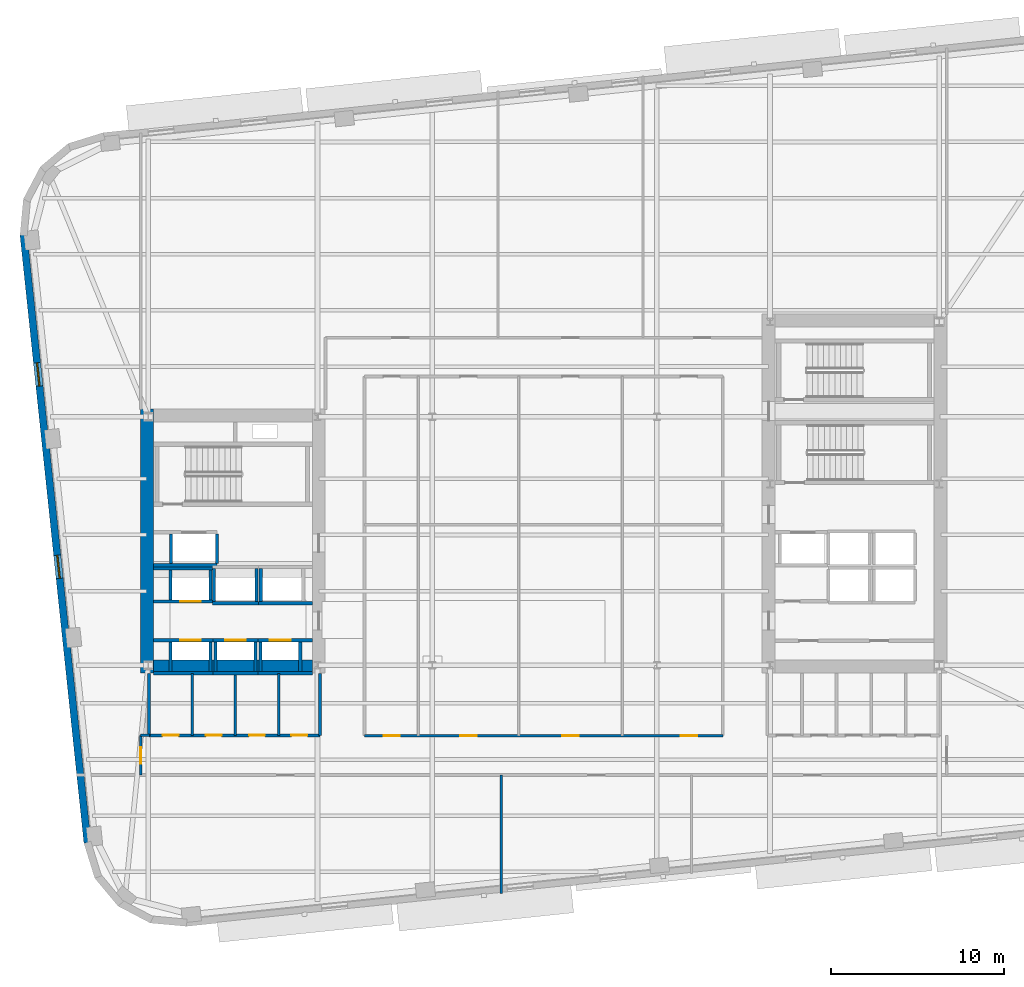
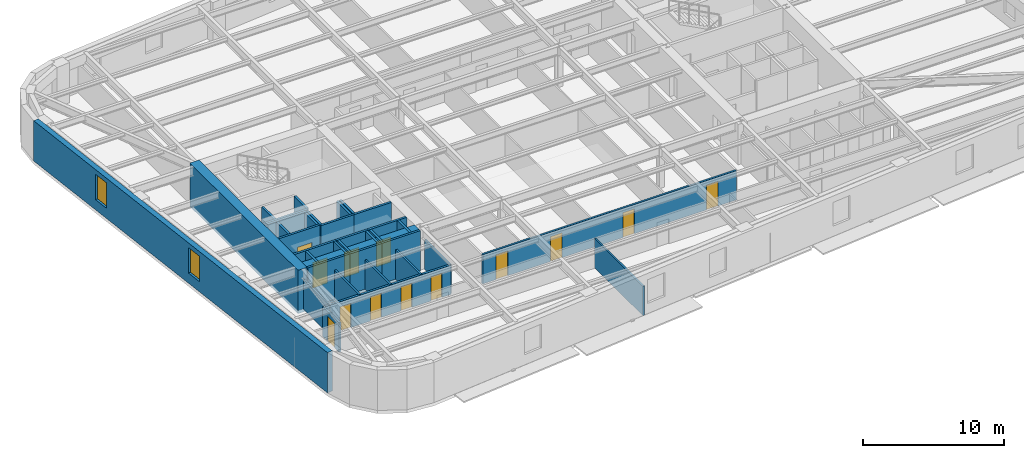
# One storey, part 4 of 12: 37 walls, 13 doors, 2 windows, 15 openings.
"""IFC4 building model written with IfcOpenShell, lengths in metres."""

from ifc_helpers import new_model, si_unit, direction, frame, frame_2d, origin, place, context, subcontext, project, spatial, rectangle, extrude, material, layer, layer_set, type_object, element, fill, save


model = new_model("IFC4")

# Units and contexts
model_context = context("Model", 3, precision=1e-05, world=origin(), true_north=direction((0.0, 1.0)))
body_context = subcontext(model_context, "Body", "Model", "MODEL_VIEW")
ifc_project = project(units=[si_unit("LENGTHUNIT", "METRE"), si_unit("AREAUNIT", "SQUARE_METRE"), si_unit("VOLUMEUNIT", "CUBIC_METRE"), si_unit("PLANEANGLEUNIT", "RADIAN"), si_unit("MASSUNIT", "GRAM", prefix="KILO")], contexts=[model_context])

# Site, building, storey
site_placement = place(None, origin())
site = spatial("IfcSite", under=ifc_project, at=site_placement, CompositionType="ELEMENT")
building_placement = place(site_placement, origin())
building = spatial("IfcBuilding", under=site, at=building_placement, Name="Kolvaren Arena Tower", CompositionType="ELEMENT")
storey_placement = place(building_placement, frame((0.0, 0.0, 138.25)))
storey = spatial("IfcBuildingStorey", under=building, at=storey_placement, Name="L32", CompositionType="ELEMENT", Elevation=138.25)

# Wall, openings, doors
ifc_material_1 = material(Name="Gypsum board acoustic assembly", Category="gypsum")
ifc_layer_1 = layer(ifc_material_1, 0.159912109375)
ifc_layer_set_1 = layer_set([ifc_layer_1], Name="Gypsum board acoustic assembly")
wall_type_1 = type_object("IfcWallType", Name="CORR-160", PredefinedType="PARTITIONING", material=ifc_layer_set_1)
wall_1_placement = place(storey_placement, frame((27.080078125, 15.3798828125, 0.0), z_axis=(0.0, 0.0, 1.0), x_axis=(1.0, 0.0, 0.0)))
wall_1 = element("IfcWall", 1, at=wall_1_placement, inside=storey, type_object=wall_type_1, Name="Interior Partition Wall (L32)", PredefinedType="PARTITIONING", context=body_context, shape_type="SweptSolid", body=[
    extrude(rectangle(XDim=20.739990234375, YDim=0.159912109375, at=frame_2d((10.3701171875, 0.0))), origin(), (0.0, 0.0, 1.0), 2.5400390625),
])
opening_1_placement = place(wall_1_placement, frame((1.094970703125, 0.0, 0.0)))
opening_1 = element("IfcOpeningElement", 2, at=opening_1_placement, cuts=wall_1, Name="Opening D05", PredefinedType="OPENING", context=body_context, shape_type="SweptSolid", body=[
    extrude(rectangle(XDim=0.949951171875, YDim=2.14990234375, at=frame_2d((0.47509765625, 1.074951171875))), frame((0.0, 0.08984375, 0.0), z_axis=(0.0, -1.0, 0.0), x_axis=(1.0, 0.0, 0.0)), (0.0, 0.0, 1.0), 0.179931640625),
])
opening_2_placement = place(wall_1_placement, frame((5.544921875, 0.0, 0.0)))
opening_2 = element("IfcOpeningElement", 3, at=opening_2_placement, cuts=wall_1, Name="Opening D05", PredefinedType="OPENING", context=body_context, shape_type="SweptSolid", body=[
    extrude(rectangle(XDim=0.949951171875, YDim=2.14990234375, at=frame_2d((0.47509765625, 1.074951171875))), frame((0.0, 0.08984375, 0.0), z_axis=(0.0, -1.0, 0.0), x_axis=(1.0, 0.0, 0.0)), (0.0, 0.0, 1.0), 0.179931640625),
])
opening_3_placement = place(wall_1_placement, frame((11.445068359375, 0.0, 0.0)))
opening_3 = element("IfcOpeningElement", 4, at=opening_3_placement, cuts=wall_1, Name="Opening D05", PredefinedType="OPENING", context=body_context, shape_type="SweptSolid", body=[
    extrude(rectangle(XDim=0.949951171875, YDim=2.14990234375, at=frame_2d((0.47509765625, 1.074951171875))), frame((0.0, 0.08984375, 0.0), z_axis=(0.0, -1.0, 0.0), x_axis=(1.0, 0.0, 0.0)), (0.0, 0.0, 1.0), 0.179931640625),
])
opening_4_placement = place(wall_1_placement, frame((18.294921875, 0.0, 0.0)))
opening_4 = element("IfcOpeningElement", 5, at=opening_4_placement, cuts=wall_1, Name="Opening D05", PredefinedType="OPENING", context=body_context, shape_type="SweptSolid", body=[
    extrude(rectangle(XDim=0.949951171875, YDim=2.14990234375, at=frame_2d((0.47509765625, 1.074951171875))), frame((0.0, 0.08984375, 0.0), z_axis=(0.0, -1.0, 0.0), x_axis=(1.0, 0.0, 0.0)), (0.0, 0.0, 1.0), 0.179931640625),
])
ifc_material_2 = material(Name="Solid-core oak acoustic office door", Category="wood")
door_type_1 = type_object("IfcDoorType", Name="DOOR-OF-095", OperationType="NOTDEFINED", PredefinedType="DOOR", material=ifc_material_2)
door_1_placement = place(opening_1_placement, origin())
door_1 = element("IfcDoor", 6, at=door_1_placement, inside=storey, type_object=door_type_1, Name="Tenant Reception Area Door (L32)", OperationType="SINGLE_SWING_LEFT", OverallHeight=2.14990234375, OverallWidth=0.949951171875, PredefinedType="DOOR", context=body_context, shape_type="SweptSolid", body=[
    extrude(rectangle(XDim=0.949951171875, YDim=2.14990234375, at=frame_2d((0.47509765625, 1.074951171875))), frame((0.0, 0.02490234375, 0.0), z_axis=(0.0, -1.0, 0.0), x_axis=(1.0, 0.0, 0.0)), (0.0, 0.0, 1.0), 0.050048828125),
])
fill(opening_1, door_1)
door_2_placement = place(opening_2_placement, origin())
door_2 = element("IfcDoor", 7, at=door_2_placement, inside=storey, type_object=door_type_1, Name="Design Studio Door (L32)", OperationType="SINGLE_SWING_LEFT", OverallHeight=2.14990234375, OverallWidth=0.949951171875, PredefinedType="DOOR", context=body_context, shape_type="SweptSolid", body=[
    extrude(rectangle(XDim=0.949951171875, YDim=2.14990234375, at=frame_2d((0.47509765625, 1.074951171875))), frame((0.0, 0.02490234375, 0.0), z_axis=(0.0, -1.0, 0.0), x_axis=(1.0, 0.0, 0.0)), (0.0, 0.0, 1.0), 0.050048828125),
])
fill(opening_2, door_2)
door_3_placement = place(opening_3_placement, origin())
door_3 = element("IfcDoor", 8, at=door_3_placement, inside=storey, type_object=door_type_1, Name="Breakout Pantry and Kitchen Door (L32)", OperationType="SINGLE_SWING_LEFT", OverallHeight=2.14990234375, OverallWidth=0.949951171875, PredefinedType="DOOR", context=body_context, shape_type="SweptSolid", body=[
    extrude(rectangle(XDim=0.949951171875, YDim=2.14990234375, at=frame_2d((0.47509765625, 1.074951171875))), frame((0.0, 0.02490234375, 0.0), z_axis=(0.0, -1.0, 0.0), x_axis=(1.0, 0.0, 0.0)), (0.0, 0.0, 1.0), 0.050048828125),
])
fill(opening_3, door_3)
door_4_placement = place(opening_4_placement, origin())
door_4 = element("IfcDoor", 9, at=door_4_placement, inside=storey, type_object=door_type_1, Name="Tenant Reception Area Door (L32)", OperationType="SINGLE_SWING_LEFT", OverallHeight=2.14990234375, OverallWidth=0.949951171875, PredefinedType="DOOR", context=body_context, shape_type="SweptSolid", body=[
    extrude(rectangle(XDim=0.949951171875, YDim=2.14990234375, at=frame_2d((0.47509765625, 1.074951171875))), frame((0.0, 0.02490234375, 0.0), z_axis=(0.0, -1.0, 0.0), x_axis=(1.0, 0.0, 0.0)), (0.0, 0.0, 1.0), 0.050048828125),
])
fill(opening_4, door_4)

# Wall, opening, door
wall_2_placement = place(storey_placement, frame((14.1201171875, 13.10009765625, 0.0), z_axis=(0.0, 0.0, 1.0), x_axis=(0.0, 1.0, 0.0)))
wall_2 = element("IfcWall", 10, at=wall_2_placement, inside=storey, type_object=wall_type_1, Name="Interior Partition Wall (L32)", PredefinedType="PARTITIONING", context=body_context, shape_type="SweptSolid", body=[
    extrude(rectangle(XDim=2.2998046875, YDim=0.159912109375, at=frame_2d((1.14990234375, 0.0))), origin(), (0.0, 0.0, 1.0), 2.5400390625),
])
opening_5_placement = place(wall_2_placement, frame((0.64990234375, 0.0, 0.0)))
opening_5 = element("IfcOpeningElement", 11, at=opening_5_placement, cuts=wall_2, Name="Opening D05", PredefinedType="OPENING", context=body_context, shape_type="SweptSolid", body=[
    extrude(rectangle(XDim=0.949951171875, YDim=2.14990234375, at=frame_2d((0.47509765625, 1.074951171875))), frame((0.0, 0.08984375, 0.0), z_axis=(0.0, -1.0, 0.0), x_axis=(1.0, 0.0, 0.0)), (0.0, 0.0, 1.0), 0.179931640625),
])
door_5_placement = place(opening_5_placement, origin())
door_5 = element("IfcDoor", 12, at=door_5_placement, inside=storey, type_object=door_type_1, Name="West Wing Office Door (L32)", OperationType="SINGLE_SWING_LEFT", OverallHeight=2.14990234375, OverallWidth=0.949951171875, PredefinedType="DOOR", context=body_context, shape_type="SweptSolid", body=[
    extrude(rectangle(XDim=0.949951171875, YDim=2.14990234375, at=frame_2d((0.47509765625, 1.074951171875))), frame((0.0, 0.02490234375, 0.0), z_axis=(0.0, -1.0, 0.0), x_axis=(1.0, 0.0, 0.0)), (0.0, 0.0, 1.0), 0.050048828125),
])
fill(opening_5, door_5)

# Walls
wall_3_placement = place(storey_placement, frame((14.1201171875, 15.39990234375, 0.0), z_axis=(0.0, 0.0, 1.0), x_axis=(1.0, 0.0, 0.0)))
element("IfcWall", 13, at=wall_3_placement, inside=storey, type_object=wall_type_1, Name="Interior Partition Wall (L32)", PredefinedType="PARTITIONING", context=body_context, shape_type="SweptSolid", body=[
    extrude(rectangle(XDim=0.5, YDim=0.159912109375, at=frame_2d((0.25, 0.0))), origin(), (0.0, 0.0, 1.0), 2.5400390625),
])
ifc_material_3 = material(Name="Concrete 70 MPa", Category="concrete")
ifc_layer_2 = layer(ifc_material_3, 0.75)
ifc_layer_set_2 = layer_set([ifc_layer_2], Name="Concrete 70 MPa")
wall_type_2 = type_object("IfcWallType", Name="CWALL-750", PredefinedType="SHEAR", material=ifc_layer_set_2)
wall_4_placement = place(storey_placement, frame((14.47509765625, 19.0, -0.27001953125), z_axis=(0.0, 0.0, 1.0), x_axis=(0.0, 1.0, 0.0)))
element("IfcWall", 14, at=wall_4_placement, inside=storey, type_object=wall_type_2, Name="Core Shear Wall WC-WEST (L32)", PredefinedType="SHEAR", context=body_context, shape_type="SweptSolid", body=[
    extrude(rectangle(XDim=15.300048828125, YDim=0.75, at=frame_2d((7.64990234375, 0.0))), origin(), (0.0, 0.0, 1.0), 3.75),
])
wall_5_placement = place(storey_placement, frame((14.85009765625, 19.375, -0.27001953125), z_axis=(0.0, 0.0, 1.0), x_axis=(1.0, 0.0, 0.0)))
element("IfcWall", 15, at=wall_5_placement, inside=storey, type_object=wall_type_2, Name="Core Shear Wall WC-SOUTH (L32)", PredefinedType="SHEAR", context=body_context, shape_type="SweptSolid", body=[
    extrude(rectangle(XDim=9.199951171875, YDim=0.75, at=frame_2d((4.60009765625, 0.0))), origin(), (0.0, 0.0, 1.0), 3.75),
])

# Wall, openings, windows
ifc_material_4 = material(Name="Precast concrete C50/60", Category="concrete")
ifc_layer_3 = layer(ifc_material_4, 0.419921875)
ifc_layer_set_3 = layer_set([ifc_layer_3], Name="Precast concrete C50/60")
wall_type_3 = type_object("IfcWallType", Name="EXT-PIER1", PredefinedType="SOLIDWALL", material=ifc_layer_set_3)
wall_6_placement = place(storey_placement, frame((11.039794921875, 9.16943359375, 0.0), z_axis=(0.0, 0.0, 1.0), x_axis=(-0.104532207177, 0.99452150186, 0.0)))
wall_6 = element("IfcWall", 16, at=wall_6_placement, inside=storey, type_object=wall_type_3, Name="Exterior Precast Masonry-Frame Wall (L32)", PredefinedType="SOLIDWALL", context=body_context, shape_type="SweptSolid", body=[
    extrude(rectangle(XDim=35.39990234375, YDim=0.419921875, at=frame_2d((17.699951171875, 0.0))), origin(), (0.0, 0.0, 1.0), 3.47998046875),
])
opening_6_placement = place(wall_6_placement, frame((15.39990234375, 0.0, 0.8798828125)))
opening_6 = element("IfcOpeningElement", 17, at=opening_6_placement, cuts=wall_6, Name="Opening W04", PredefinedType="OPENING", context=body_context, shape_type="SweptSolid", body=[
    extrude(rectangle(XDim=1.35009765625, YDim=2.199951171875, at=frame_2d((0.675048828125, 1.10009765625))), frame((0.0, 0.219970703125, 0.0), z_axis=(0.0, -1.0, 0.0), x_axis=(1.0, 0.0, 0.0)), (0.0, 0.0, 1.0), 0.43994140625),
])
opening_7_placement = place(wall_6_placement, frame((26.60009765625, 0.0, 0.8798828125)))
opening_7 = element("IfcOpeningElement", 18, at=opening_7_placement, cuts=wall_6, Name="Opening W04", PredefinedType="OPENING", context=body_context, shape_type="SweptSolid", body=[
    extrude(rectangle(XDim=1.35009765625, YDim=2.199951171875, at=frame_2d((0.675048828125, 1.10009765625))), frame((0.0, 0.219970703125, 0.0), z_axis=(0.0, -1.0, 0.0), x_axis=(1.0, 0.0, 0.0)), (0.0, 0.0, 1.0), 0.43994140625),
])
ifc_material_5 = material(Name="Triple-glazed curved-facet corner window", Category="glass")
window_type = type_object("IfcWindowType", Name="WIN-CRN-A", PartitioningType="SINGLE_PANEL", PredefinedType="WINDOW", material=ifc_material_5)
window_1_placement = place(opening_6_placement, origin())
window_1 = element("IfcWindow", 19, at=window_1_placement, inside=storey, type_object=window_type, Name="End-Wall Punched Window (L32)", OverallHeight=2.199951171875, OverallWidth=1.35009765625, PartitioningType="SINGLE_PANEL", PredefinedType="WINDOW", context=body_context, shape_type="SweptSolid", body=[
    extrude(rectangle(XDim=1.35009765625, YDim=2.199951171875, at=frame_2d((0.675048828125, 1.10009765625))), frame((0.0, 0.030029296875, 0.0), z_axis=(0.0, -1.0, 0.0), x_axis=(1.0, 0.0, 0.0)), (0.0, 0.0, 1.0), 0.06005859375),
])
fill(opening_6, window_1)
window_2_placement = place(opening_7_placement, origin())
window_2 = element("IfcWindow", 20, at=window_2_placement, inside=storey, type_object=window_type, Name="End-Wall Punched Window (L32)", OverallHeight=2.199951171875, OverallWidth=1.35009765625, PartitioningType="SINGLE_PANEL", PredefinedType="WINDOW", context=body_context, shape_type="SweptSolid", body=[
    extrude(rectangle(XDim=1.35009765625, YDim=2.199951171875, at=frame_2d((0.675048828125, 1.10009765625))), frame((0.0, 0.030029296875, 0.0), z_axis=(0.0, -1.0, 0.0), x_axis=(1.0, 0.0, 0.0)), (0.0, 0.0, 1.0), 0.06005859375),
])
fill(opening_7, window_2)

# Wall
ifc_material_6 = material(Name="Gypsum board partition assembly", Category="gypsum")
ifc_layer_4 = layer(ifc_material_6, 0.135009765625)
ifc_layer_set_4 = layer_set([ifc_layer_4], Name="Gypsum board partition assembly")
wall_type_4 = type_object("IfcWallType", Name="PART-135", PredefinedType="PARTITIONING", material=ifc_layer_set_4)
wall_7_placement = place(storey_placement, frame((35.0, 6.258056640625, 0.0), z_axis=(0.0, 0.0, 1.0), x_axis=(0.0, 1.0, 0.0)))
element("IfcWall", 21, at=wall_7_placement, inside=storey, type_object=wall_type_4, Name="Interior Partition Wall (L32)", PredefinedType="PARTITIONING", context=body_context, shape_type="SweptSolid", body=[
    extrude(rectangle(XDim=6.842041015625, YDim=0.135009765625, at=frame_2d((3.4208984375, 0.0))), origin(), (0.0, 0.0, 1.0), 2.5400390625),
])

# Wall, opening, door
ifc_material_7 = material(Name="Concrete 45 MPa", Category="concrete")
ifc_layer_5 = layer(ifc_material_7, 0.25)
ifc_layer_set_5 = layer_set([ifc_layer_5], Name="Concrete 45 MPa")
wall_type_5 = type_object("IfcWallType", Name="SHAFT-250", PredefinedType="SOLIDWALL", material=ifc_layer_set_5)
wall_8_placement = place(storey_placement, frame((14.85009765625, 20.905029296875, 0.0), z_axis=(0.0, 0.0, 1.0), x_axis=(1.0, 0.0, 0.0)))
wall_8 = element("IfcWall", 22, at=wall_8_placement, inside=storey, type_object=wall_type_5, Name="Core Shaft Wall (L32)", PredefinedType="SOLIDWALL", context=body_context, shape_type="SweptSolid", body=[
    extrude(rectangle(XDim=3.449951171875, YDim=0.179931640625, at=frame_2d((1.72509765625, 0.0))), origin(), (0.0, 0.0, 1.0), 3.47998046875),
])
opening_8_placement = place(wall_8_placement, frame((1.550048828125, 0.0, 0.0)))
opening_8 = element("IfcOpeningElement", 23, at=opening_8_placement, cuts=wall_8, Name="Opening LD1", PredefinedType="OPENING", context=body_context, shape_type="SweptSolid", body=[
    extrude(rectangle(XDim=1.199951171875, YDim=2.199951171875, at=frame_2d((0.60009765625, 1.10009765625))), frame((0.0, 0.099853515625, 0.0), z_axis=(0.0, -1.0, 0.0), x_axis=(1.0, 0.0, 0.0)), (0.0, 0.0, 1.0), 0.199951171875),
])
ifc_material_8 = material(Name="Stainless steel passenger lift landing door", Category="steel")
door_type_2 = type_object("IfcDoorType", Name="DOOR-LD-120", OperationType="DOUBLE_DOOR_SLIDING", PredefinedType="DOOR", material=ifc_material_8)
door_6_placement = place(opening_8_placement, origin())
door_6 = element("IfcDoor", 24, at=door_6_placement, inside=storey, type_object=door_type_2, Name="Lift EL-MR1 Landing Door (L32)", OperationType="DOUBLE_DOOR_SLIDING", OverallHeight=2.199951171875, OverallWidth=1.199951171875, PredefinedType="DOOR", context=body_context, shape_type="SweptSolid", body=[
    extrude(rectangle(XDim=1.199951171875, YDim=2.199951171875, at=frame_2d((0.60009765625, 1.10009765625))), frame((0.0, 0.02490234375, 0.0), z_axis=(0.0, -1.0, 0.0), x_axis=(1.0, 0.0, 0.0)), (0.0, 0.0, 1.0), 0.050048828125),
])
fill(opening_8, door_6)

# Walls
wall_9_placement = place(storey_placement, frame((14.85009765625, 18.9951171875, 0.0), z_axis=(0.0, 0.0, 1.0), x_axis=(1.0, 0.0, 0.0)))
element("IfcWall", 25, at=wall_9_placement, inside=storey, type_object=wall_type_5, Name="Core Shaft Wall (L32)", PredefinedType="SOLIDWALL", context=body_context, shape_type="SweptSolid", body=[
    extrude(rectangle(XDim=3.449951171875, YDim=0.179931640625, at=frame_2d((1.72509765625, 0.0))), origin(), (0.0, 0.0, 1.0), 3.47998046875),
])
for number, where, z_axis, x_axis, name in (
    (26, (15.844970703125, 19.0849609375, 0.0), (0.0, 0.0, 1.0), (0.0, 1.0, 0.0), "Core Shaft Wall (L32)"),
    (27, (18.155029296875, 19.0849609375, 0.0), (0.0, 0.0, 1.0), (0.0, 1.0, 0.0), "Core Shaft Wall (L32)"),
):
    element("IfcWall", number, at=place(storey_placement, frame(where, z_axis=z_axis, x_axis=x_axis)), inside=storey, type_object=wall_type_5, Name=name, PredefinedType="SOLIDWALL", context=body_context, shape_type="SweptSolid", body=[
        extrude(rectangle(XDim=1.72998046875, YDim=0.179931640625, at=frame_2d((0.864990234375, 0.0))), origin(), (0.0, 0.0, 1.0), 3.47998046875),
    ])

# Wall, opening, door
wall_10_placement = place(storey_placement, frame((18.300048828125, 20.905029296875, 0.0), z_axis=(0.0, 0.0, 1.0), x_axis=(1.0, 0.0, 0.0)))
wall_10 = element("IfcWall", 28, at=wall_10_placement, inside=storey, type_object=wall_type_5, Name="Core Shaft Wall (L32)", PredefinedType="SOLIDWALL", context=body_context, shape_type="SweptSolid", body=[
    extrude(rectangle(XDim=2.599853515625, YDim=0.179931640625, at=frame_2d((1.2998046875, 0.0))), origin(), (0.0, 0.0, 1.0), 3.47998046875),
])
opening_9_placement = place(wall_10_placement, frame((0.699951171875, 0.0, 0.0)))
opening_9 = element("IfcOpeningElement", 29, at=opening_9_placement, cuts=wall_10, Name="Opening LD1", PredefinedType="OPENING", context=body_context, shape_type="SweptSolid", body=[
    extrude(rectangle(XDim=1.199951171875, YDim=2.199951171875, at=frame_2d((0.60009765625, 1.10009765625))), frame((0.0, 0.099853515625, 0.0), z_axis=(0.0, -1.0, 0.0), x_axis=(1.0, 0.0, 0.0)), (0.0, 0.0, 1.0), 0.199951171875),
])
door_7_placement = place(opening_9_placement, origin())
door_7 = element("IfcDoor", 30, at=door_7_placement, inside=storey, type_object=door_type_2, Name="Lift EL-MR2 Landing Door (L32)", OperationType="DOUBLE_DOOR_SLIDING", OverallHeight=2.199951171875, OverallWidth=1.199951171875, PredefinedType="DOOR", context=body_context, shape_type="SweptSolid", body=[
    extrude(rectangle(XDim=1.199951171875, YDim=2.199951171875, at=frame_2d((0.60009765625, 1.10009765625))), frame((0.0, 0.02490234375, 0.0), z_axis=(0.0, -1.0, 0.0), x_axis=(1.0, 0.0, 0.0)), (0.0, 0.0, 1.0), 0.050048828125),
])
fill(opening_9, door_7)

# Walls
wall_11_placement = place(storey_placement, frame((18.300048828125, 18.9951171875, 0.0), z_axis=(0.0, 0.0, 1.0), x_axis=(1.0, 0.0, 0.0)))
element("IfcWall", 31, at=wall_11_placement, inside=storey, type_object=wall_type_5, Name="Core Shaft Wall (L32)", PredefinedType="SOLIDWALL", context=body_context, shape_type="SweptSolid", body=[
    extrude(rectangle(XDim=2.599853515625, YDim=0.179931640625, at=frame_2d((1.2998046875, 0.0))), origin(), (0.0, 0.0, 1.0), 3.47998046875),
])
for number, where, z_axis, x_axis, name in (
    (32, (18.445068359375, 19.0849609375, 0.0), (0.0, 0.0, 1.0), (0.0, 1.0, 0.0), "Core Shaft Wall (L32)"),
    (33, (20.7548828125, 19.0849609375, 0.0), (0.0, 0.0, 1.0), (0.0, 1.0, 0.0), "Core Shaft Wall (L32)"),
):
    element("IfcWall", number, at=place(storey_placement, frame(where, z_axis=z_axis, x_axis=x_axis)), inside=storey, type_object=wall_type_5, Name=name, PredefinedType="SOLIDWALL", context=body_context, shape_type="SweptSolid", body=[
        extrude(rectangle(XDim=1.72998046875, YDim=0.179931640625, at=frame_2d((0.864990234375, 0.0))), origin(), (0.0, 0.0, 1.0), 3.47998046875),
    ])

# Wall, opening, door
wall_12_placement = place(storey_placement, frame((20.89990234375, 20.905029296875, 0.0), z_axis=(0.0, 0.0, 1.0), x_axis=(1.0, 0.0, 0.0)))
wall_12 = element("IfcWall", 34, at=wall_12_placement, inside=storey, type_object=wall_type_5, Name="Core Shaft Wall (L32)", PredefinedType="SOLIDWALL", context=body_context, shape_type="SweptSolid", body=[
    extrude(rectangle(XDim=3.150146484375, YDim=0.179931640625, at=frame_2d((1.5751953125, 0.0))), origin(), (0.0, 0.0, 1.0), 3.47998046875),
])
opening_10_placement = place(wall_12_placement, frame((0.699951171875, 0.0, 0.0)))
opening_10 = element("IfcOpeningElement", 35, at=opening_10_placement, cuts=wall_12, Name="Opening LD1", PredefinedType="OPENING", context=body_context, shape_type="SweptSolid", body=[
    extrude(rectangle(XDim=1.199951171875, YDim=2.199951171875, at=frame_2d((0.60009765625, 1.10009765625))), frame((0.0, 0.099853515625, 0.0), z_axis=(0.0, -1.0, 0.0), x_axis=(1.0, 0.0, 0.0)), (0.0, 0.0, 1.0), 0.199951171875),
])
door_8_placement = place(opening_10_placement, origin())
door_8 = element("IfcDoor", 36, at=door_8_placement, inside=storey, type_object=door_type_2, Name="Lift EL-MR3 Landing Door (L32)", OperationType="DOUBLE_DOOR_SLIDING", OverallHeight=2.199951171875, OverallWidth=1.199951171875, PredefinedType="DOOR", context=body_context, shape_type="SweptSolid", body=[
    extrude(rectangle(XDim=1.199951171875, YDim=2.199951171875, at=frame_2d((0.60009765625, 1.10009765625))), frame((0.0, 0.02490234375, 0.0), z_axis=(0.0, -1.0, 0.0), x_axis=(1.0, 0.0, 0.0)), (0.0, 0.0, 1.0), 0.050048828125),
])
fill(opening_10, door_8)

# Walls
wall_13_placement = place(storey_placement, frame((20.89990234375, 18.9951171875, 0.0), z_axis=(0.0, 0.0, 1.0), x_axis=(1.0, 0.0, 0.0)))
element("IfcWall", 37, at=wall_13_placement, inside=storey, type_object=wall_type_5, Name="Core Shaft Wall (L32)", PredefinedType="SOLIDWALL", context=body_context, shape_type="SweptSolid", body=[
    extrude(rectangle(XDim=3.150146484375, YDim=0.179931640625, at=frame_2d((1.5751953125, 0.0))), origin(), (0.0, 0.0, 1.0), 3.47998046875),
])
for number, where, z_axis, x_axis, name in (
    (38, (21.044921875, 19.0849609375, 0.0), (0.0, 0.0, 1.0), (0.0, 1.0, 0.0), "Core Shaft Wall (L32)"),
    (39, (23.35498046875, 19.0849609375, 0.0), (0.0, 0.0, 1.0), (0.0, 1.0, 0.0), "Core Shaft Wall (L32)"),
):
    element("IfcWall", number, at=place(storey_placement, frame(where, z_axis=z_axis, x_axis=x_axis)), inside=storey, type_object=wall_type_5, Name=name, PredefinedType="SOLIDWALL", context=body_context, shape_type="SweptSolid", body=[
        extrude(rectangle(XDim=1.72998046875, YDim=0.179931640625, at=frame_2d((0.864990234375, 0.0))), origin(), (0.0, 0.0, 1.0), 3.47998046875),
    ])
wall_14_placement = place(storey_placement, frame((14.85009765625, 25.054931640625, 0.0), z_axis=(0.0, 0.0, 1.0), x_axis=(1.0, 0.0, 0.0)))
element("IfcWall", 40, at=wall_14_placement, inside=storey, type_object=wall_type_5, Name="Core Shaft Wall (L32)", PredefinedType="SOLIDWALL", context=body_context, shape_type="SweptSolid", body=[
    extrude(rectangle(XDim=3.412353515625, YDim=0.179931640625, at=frame_2d((1.7060546875, 0.0))), origin(), (0.0, 0.0, 1.0), 3.47998046875),
])

# Wall, opening, door
wall_15_placement = place(storey_placement, frame((14.85009765625, 23.14501953125, 0.0), z_axis=(0.0, 0.0, 1.0), x_axis=(1.0, 0.0, 0.0)))
wall_15 = element("IfcWall", 41, at=wall_15_placement, inside=storey, type_object=wall_type_5, Name="Core Shaft Wall (L32)", PredefinedType="SOLIDWALL", context=body_context, shape_type="SweptSolid", body=[
    extrude(rectangle(XDim=3.412353515625, YDim=0.179931640625, at=frame_2d((1.7060546875, 0.0))), origin(), (0.0, 0.0, 1.0), 3.47998046875),
])
opening_11_placement = place(wall_15_placement, frame((1.550048828125, 0.0, 0.0)))
opening_11 = element("IfcOpeningElement", 42, at=opening_11_placement, cuts=wall_15, Name="Opening LD1", PredefinedType="OPENING", context=body_context, shape_type="SweptSolid", body=[
    extrude(rectangle(XDim=1.199951171875, YDim=2.199951171875, at=frame_2d((0.60009765625, 1.10009765625))), frame((0.0, 0.099853515625, 0.0), z_axis=(0.0, -1.0, 0.0), x_axis=(1.0, 0.0, 0.0)), (0.0, 0.0, 1.0), 0.199951171875),
])
door_9_placement = place(opening_11_placement, origin())
door_9 = element("IfcDoor", 43, at=door_9_placement, inside=storey, type_object=door_type_2, Name="Lift EL-MR4 Landing Door (L32)", OperationType="DOUBLE_DOOR_SLIDING", OverallHeight=2.199951171875, OverallWidth=1.199951171875, PredefinedType="DOOR", context=body_context, shape_type="SweptSolid", body=[
    extrude(rectangle(XDim=1.199951171875, YDim=2.199951171875, at=frame_2d((0.60009765625, 1.10009765625))), frame((0.0, 0.02490234375, 0.0), z_axis=(0.0, -1.0, 0.0), x_axis=(1.0, 0.0, 0.0)), (0.0, 0.0, 1.0), 0.050048828125),
])
fill(opening_11, door_9)

# Walls
for number, where, z_axis, x_axis, name in (
    (44, (15.844970703125, 23.235107421875, 0.0), (0.0, 0.0, 1.0), (0.0, 1.0, 0.0), "Core Shaft Wall (L32)"),
    (45, (18.155029296875, 23.235107421875, 0.0), (0.0, 0.0, 1.0), (0.0, 1.0, 0.0), "Core Shaft Wall (L32)"),
):
    element("IfcWall", number, at=place(storey_placement, frame(where, z_axis=z_axis, x_axis=x_axis)), inside=storey, type_object=wall_type_5, Name=name, PredefinedType="SOLIDWALL", context=body_context, shape_type="SweptSolid", body=[
        extrude(rectangle(XDim=1.72998046875, YDim=0.179931640625, at=frame_2d((0.864990234375, 0.0))), origin(), (0.0, 0.0, 1.0), 3.47998046875),
    ])
wall_16_placement = place(storey_placement, frame((18.262451171875, 23.044921875, 0.0), z_axis=(0.0, 0.0, 1.0), x_axis=(1.0, 0.0, 0.0)))
element("IfcWall", 46, at=wall_16_placement, inside=storey, type_object=wall_type_5, Name="Core Shaft Wall (L32)", PredefinedType="SOLIDWALL", context=body_context, shape_type="SweptSolid", body=[
    extrude(rectangle(XDim=2.6875, YDim=0.179931640625, at=frame_2d((1.34375, 0.0))), origin(), (0.0, 0.0, 1.0), 3.47998046875),
])
for number, where, z_axis, x_axis, name in (
    (47, (18.3701171875, 23.135009765625, 0.0), (0.0, 0.0, 1.0), (0.0, 1.0, 0.0), "Core Shaft Wall (L32)"),
    (48, (20.830078125, 23.135009765625, 0.0), (0.0, 0.0, 1.0), (0.0, 1.0, 0.0), "Core Shaft Wall (L32)"),
):
    element("IfcWall", number, at=place(storey_placement, frame(where, z_axis=z_axis, x_axis=x_axis)), inside=storey, type_object=wall_type_5, Name=name, PredefinedType="SOLIDWALL", context=body_context, shape_type="SweptSolid", body=[
        extrude(rectangle(XDim=1.929931640625, YDim=0.179931640625, at=frame_2d((0.96484375, 0.0))), origin(), (0.0, 0.0, 1.0), 3.47998046875),
    ])
wall_17_placement = place(storey_placement, frame((20.949951171875, 23.044921875, 0.0), z_axis=(0.0, 0.0, 1.0), x_axis=(1.0, 0.0, 0.0)))
element("IfcWall", 49, at=wall_17_placement, inside=storey, type_object=wall_type_5, Name="Core Shaft Wall (L32)", PredefinedType="SOLIDWALL", context=body_context, shape_type="SweptSolid", body=[
    extrude(rectangle(XDim=3.10009765625, YDim=0.179931640625, at=frame_2d((1.550048828125, 0.0))), origin(), (0.0, 0.0, 1.0), 3.47998046875),
])
wall_18_placement = place(storey_placement, frame((21.070068359375, 23.135009765625, 0.0), z_axis=(0.0, 0.0, 1.0), x_axis=(0.0, 1.0, 0.0)))
element("IfcWall", 50, at=wall_18_placement, inside=storey, type_object=wall_type_5, Name="Core Shaft Wall (L32)", PredefinedType="SOLIDWALL", context=body_context, shape_type="SweptSolid", body=[
    extrude(rectangle(XDim=1.929931640625, YDim=0.179931640625, at=frame_2d((0.96484375, 0.0))), origin(), (0.0, 0.0, 1.0), 3.47998046875),
])
wall_19_placement = place(storey_placement, frame((14.85009765625, 25.2451171875, 0.0), z_axis=(0.0, 0.0, 1.0), x_axis=(1.0, 0.0, 0.0)))
element("IfcWall", 51, at=wall_19_placement, inside=storey, type_object=wall_type_5, Name="Core Shaft Wall (L32)", PredefinedType="SOLIDWALL", context=body_context, shape_type="SweptSolid", body=[
    extrude(rectangle(XDim=3.679931640625, YDim=0.179931640625, at=frame_2d((1.83984375, 0.0))), origin(), (0.0, 0.0, 1.0), 3.47998046875),
])
for number, where, z_axis, x_axis, name in (
    (52, (15.8701171875, 25.3349609375, 0.0), (0.0, 0.0, 1.0), (0.0, 1.0, 0.0), "Core Shaft Wall (L32)"),
    (53, (18.530029296875, 25.3349609375, 0.0), (0.0, 0.0, 1.0), (0.0, 1.0, 0.0), "Core Shaft Wall (L32)"),
):
    element("IfcWall", number, at=place(storey_placement, frame(where, z_axis=z_axis, x_axis=x_axis)), inside=storey, type_object=wall_type_5, Name=name, PredefinedType="SOLIDWALL", context=body_context, shape_type="SweptSolid", body=[
        extrude(rectangle(XDim=1.72998046875, YDim=0.179931640625, at=frame_2d((0.864990234375, 0.0))), origin(), (0.0, 0.0, 1.0), 3.47998046875),
    ])
ifc_material_9 = material(Name="Moisture-resistant gypsum assembly", Category="gypsum")
ifc_layer_6 = layer(ifc_material_9, 0.14990234375)
ifc_layer_set_6 = layer_set([ifc_layer_6], Name="Moisture-resistant gypsum assembly")
wall_type_6 = type_object("IfcWallType", Name="WETW-150", PredefinedType="PARTITIONING", material=ifc_layer_set_6)
for number, where, z_axis, x_axis, name in (
    (54, (17.10009765625, 15.39990234375, 0.0), (0.0, 0.0, 1.0), (0.0, 1.0, 0.0), "Interior Partition Wall (L32)"),
    (55, (19.60009765625, 15.39990234375, 0.0), (0.0, 0.0, 1.0), (0.0, 1.0, 0.0), "Interior Partition Wall (L32)"),
    (56, (22.10009765625, 15.39990234375, 0.0), (0.0, 0.0, 1.0), (0.0, 1.0, 0.0), "Interior Partition Wall (L32)"),
):
    element("IfcWall", number, at=place(storey_placement, frame(where, z_axis=z_axis, x_axis=x_axis)), inside=storey, type_object=wall_type_6, Name=name, PredefinedType="PARTITIONING", context=body_context, shape_type="SweptSolid", body=[
        extrude(rectangle(XDim=3.580078125, YDim=0.14990234375, at=frame_2d((1.7900390625, 0.0))), origin(), (0.0, 0.0, 1.0), 2.5400390625),
    ])

# Wall, openings, doors
wall_20_placement = place(storey_placement, frame((14.60009765625, 15.39990234375, 0.0), z_axis=(0.0, 0.0, 1.0), x_axis=(1.0, 0.0, 0.0)))
wall_20 = element("IfcWall", 57, at=wall_20_placement, inside=storey, type_object=wall_type_6, Name="Interior Partition Wall (L32)", PredefinedType="PARTITIONING", context=body_context, shape_type="SweptSolid", body=[
    extrude(rectangle(XDim=9.89990234375, YDim=0.179931640625, at=frame_2d((4.949951171875, 0.0))), origin(), (0.0, 0.0, 1.0), 2.5400390625),
])
opening_12_placement = place(wall_20_placement, frame((0.7900390625, 0.0, 0.0)))
opening_12 = element("IfcOpeningElement", 58, at=opening_12_placement, cuts=wall_20, Name="Opening D07", PredefinedType="OPENING", context=body_context, shape_type="SweptSolid", body=[
    extrude(rectangle(XDim=0.919921875, YDim=2.10009765625, at=frame_2d((0.4599609375, 1.050048828125))), frame((0.0, 0.099853515625, 0.0), z_axis=(0.0, -1.0, 0.0), x_axis=(1.0, 0.0, 0.0)), (0.0, 0.0, 1.0), 0.199951171875),
])
opening_13_placement = place(wall_20_placement, frame((3.2900390625, 0.0, 0.0)))
opening_13 = element("IfcOpeningElement", 59, at=opening_13_placement, cuts=wall_20, Name="Opening D07", PredefinedType="OPENING", context=body_context, shape_type="SweptSolid", body=[
    extrude(rectangle(XDim=0.919921875, YDim=2.10009765625, at=frame_2d((0.4599609375, 1.050048828125))), frame((0.0, 0.099853515625, 0.0), z_axis=(0.0, -1.0, 0.0), x_axis=(1.0, 0.0, 0.0)), (0.0, 0.0, 1.0), 0.199951171875),
])
opening_14_placement = place(wall_20_placement, frame((5.7900390625, 0.0, 0.0)))
opening_14 = element("IfcOpeningElement", 60, at=opening_14_placement, cuts=wall_20, Name="Opening D07", PredefinedType="OPENING", context=body_context, shape_type="SweptSolid", body=[
    extrude(rectangle(XDim=0.919921875, YDim=2.10009765625, at=frame_2d((0.4599609375, 1.050048828125))), frame((0.0, 0.099853515625, 0.0), z_axis=(0.0, -1.0, 0.0), x_axis=(1.0, 0.0, 0.0)), (0.0, 0.0, 1.0), 0.199951171875),
])
opening_15_placement = place(wall_20_placement, frame((8.239990234375, 0.0, 0.0)))
opening_15 = element("IfcOpeningElement", 61, at=opening_15_placement, cuts=wall_20, Name="Opening D07", PredefinedType="OPENING", context=body_context, shape_type="SweptSolid", body=[
    extrude(rectangle(XDim=0.919921875, YDim=2.10009765625, at=frame_2d((0.4599609375, 1.050048828125))), frame((0.0, 0.099853515625, 0.0), z_axis=(0.0, -1.0, 0.0), x_axis=(1.0, 0.0, 0.0)), (0.0, 0.0, 1.0), 0.199951171875),
])
ifc_material_10 = material(Name="Laminate universal washroom door", Category="wood")
door_type_3 = type_object("IfcDoorType", Name="DOOR-WC-092", OperationType="NOTDEFINED", PredefinedType="DOOR", material=ifc_material_10)
door_10_placement = place(opening_12_placement, origin())
door_10 = element("IfcDoor", 62, at=door_10_placement, inside=storey, type_object=door_type_3, Name="Women Restroom Door (L32)", OperationType="SINGLE_SWING_RIGHT", OverallHeight=2.10009765625, OverallWidth=0.919921875, PredefinedType="DOOR", context=body_context, shape_type="SweptSolid", body=[
    extrude(rectangle(XDim=0.919921875, YDim=2.10009765625, at=frame_2d((0.4599609375, 1.050048828125))), frame((0.0, 0.02490234375, 0.0), z_axis=(0.0, -1.0, 0.0), x_axis=(1.0, 0.0, 0.0)), (0.0, 0.0, 1.0), 0.050048828125),
])
fill(opening_12, door_10)
door_11_placement = place(opening_13_placement, origin())
door_11 = element("IfcDoor", 63, at=door_11_placement, inside=storey, type_object=door_type_3, Name="Men Restroom Door (L32)", OperationType="SINGLE_SWING_LEFT", OverallHeight=2.10009765625, OverallWidth=0.919921875, PredefinedType="DOOR", context=body_context, shape_type="SweptSolid", body=[
    extrude(rectangle(XDim=0.919921875, YDim=2.10009765625, at=frame_2d((0.4599609375, 1.050048828125))), frame((0.0, 0.02490234375, 0.0), z_axis=(0.0, -1.0, 0.0), x_axis=(1.0, 0.0, 0.0)), (0.0, 0.0, 1.0), 0.050048828125),
])
fill(opening_13, door_11)
door_12_placement = place(opening_14_placement, origin())
door_12 = element("IfcDoor", 64, at=door_12_placement, inside=storey, type_object=door_type_3, Name="Universal Barrier-Free Washroom Door (L32)", OperationType="SINGLE_SWING_RIGHT", OverallHeight=2.10009765625, OverallWidth=0.919921875, PredefinedType="DOOR", context=body_context, shape_type="SweptSolid", body=[
    extrude(rectangle(XDim=0.919921875, YDim=2.10009765625, at=frame_2d((0.4599609375, 1.050048828125))), frame((0.0, 0.02490234375, 0.0), z_axis=(0.0, -1.0, 0.0), x_axis=(1.0, 0.0, 0.0)), (0.0, 0.0, 1.0), 0.050048828125),
])
fill(opening_14, door_12)
door_13_placement = place(opening_15_placement, origin())
door_13 = element("IfcDoor", 65, at=door_13_placement, inside=storey, type_object=door_type_3, Name="Linen Store Door (L32)", OperationType="SINGLE_SWING_LEFT", OverallHeight=2.10009765625, OverallWidth=0.919921875, PredefinedType="DOOR", context=body_context, shape_type="SweptSolid", body=[
    extrude(rectangle(XDim=0.919921875, YDim=2.10009765625, at=frame_2d((0.4599609375, 1.050048828125))), frame((0.0, 0.02490234375, 0.0), z_axis=(0.0, -1.0, 0.0), x_axis=(1.0, 0.0, 0.0)), (0.0, 0.0, 1.0), 0.050048828125),
])
fill(opening_15, door_13)

# Walls
for number, where, z_axis, x_axis, name in (
    (66, (14.60009765625, 15.39990234375, 0.0), (0.0, 0.0, 1.0), (0.0, 1.0, 0.0), "Interior Partition Wall (L32)"),
    (67, (24.5, 15.39990234375, 0.0), (0.0, 0.0, 1.0), (0.0, 1.0, 0.0), "Interior Partition Wall (L32)"),
):
    element("IfcWall", number, at=place(storey_placement, frame(where, z_axis=z_axis, x_axis=x_axis)), inside=storey, type_object=wall_type_6, Name=name, PredefinedType="PARTITIONING", context=body_context, shape_type="SweptSolid", body=[
        extrude(rectangle(XDim=3.580078125, YDim=0.14990234375, at=frame_2d((1.7900390625, 0.0))), origin(), (0.0, 0.0, 1.0), 2.5400390625),
    ])

save(model, "model.ifc")
